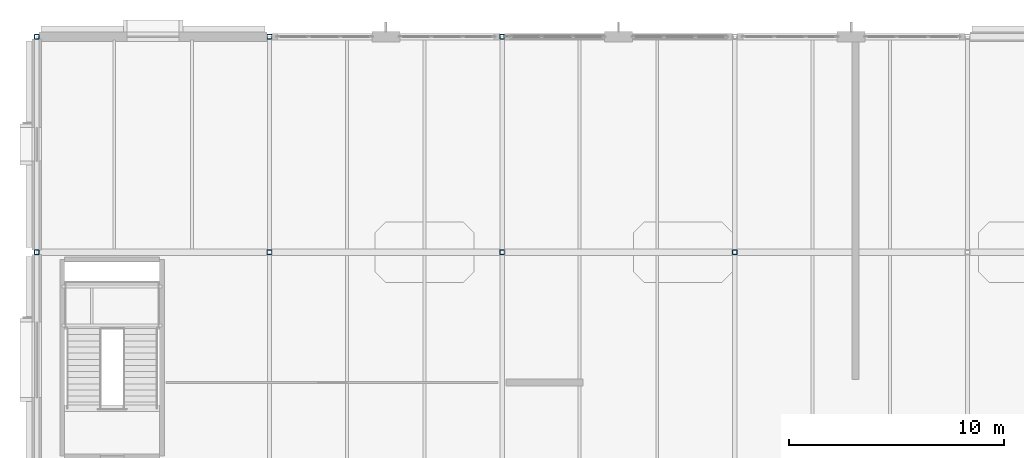
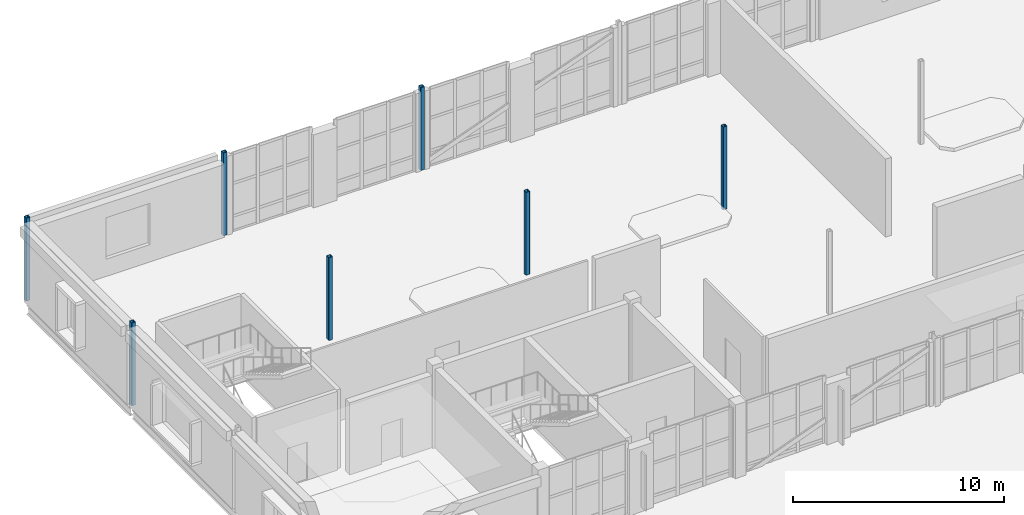
# One storey, part 7 of 86: 7 columns.
"""IFC4 building model written with IfcOpenShell, lengths in metres."""

import ifcopenshell
import ifcopenshell.guid

model = None  # the IFC model being written
_history = None  # IfcOwnerHistory: only IFC2X3 demands one
_inside = {}  # id of a spatial element -> (the spatial element, [elements in it])
_under = {}  # id of a project, library or spatial element -> (it, [spatial elements below it])
_declared = {}  # id of a project -> (the project, [libraries it declares])
_typed = {}  # id of a type object -> (the type object, [elements of that type])
_made_of = {}  # id of a material, layer set ... -> (it, [elements and type objects made of it])


def new_model(schema):
    """Start an empty IFC model of exactly this schema.

    Asked for "IFC4X3", IfcOpenShell would pick the latest addendum, in which some entities
    have other attributes; the version numbers below select the first issue.
    IFC2X3 requires an IfcOwnerHistory on every rooted entity: one is made here for all.
    """
    global model, _history
    if schema == "IFC4X3":
        model = ifcopenshell.file(schema_version=(4, 3, 0, 0))
    else:
        model = ifcopenshell.file(schema=schema)
    _inside.clear()
    _under.clear()
    _declared.clear()
    _typed.clear()
    _made_of.clear()
    _history = None
    if model.schema == "IFC2X3":
        org = make("IfcOrganization", Name="unknown")
        user = make(
            "IfcPersonAndOrganization",
            ThePerson=make("IfcPerson", FamilyName="unknown"),
            TheOrganization=org,
        )
        app = make(
            "IfcApplication",
            ApplicationDeveloper=org,
            Version="unknown",
            ApplicationFullName="unknown",
            ApplicationIdentifier="unknown",
        )
        _history = make(
            "IfcOwnerHistory",
            OwningUser=user,
            OwningApplication=app,
            ChangeAction="ADDED",
            CreationDate=0,
        )
    return model


def make(cls, **values):
    """One entity of the class cls with the attributes given. An attribute that is None is left unset."""
    return model.create_entity(
        cls, **{name: value for name, value in values.items() if value is not None}
    )


def rooted(cls, **values):
    """An entity with a GlobalId (a new one), such as an element, a storey or a relation."""
    return make(cls, GlobalId=ifcopenshell.guid.new(), OwnerHistory=_history, **values)


def si_unit(unit_type, name, prefix=None):
    """IfcSIUnit, for example si_unit("LENGTHUNIT", "METRE", prefix="MILLI")."""
    return make("IfcSIUnit", UnitType=unit_type, Prefix=prefix, Name=name)


def assignment(units):
    """IfcUnitAssignment: the units of a project."""
    return None if units is None else make("IfcUnitAssignment", Units=units)


def point(xyz):
    """IfcCartesianPoint."""
    return None if xyz is None else make("IfcCartesianPoint", Coordinates=xyz)


def direction(xyz):
    """IfcDirection."""
    return None if xyz is None else make("IfcDirection", DirectionRatios=xyz)


def frame(location, z_axis=None, x_axis=None):
    """IfcAxis2Placement3D, a coordinate frame: its origin and axes. An axis left out is left unset."""
    return make(
        "IfcAxis2Placement3D",
        Location=point(location),
        Axis=direction(z_axis),
        RefDirection=direction(x_axis),
    )


def frame_2d(location, x_axis=None):
    """IfcAxis2Placement2D, a coordinate frame in the plane: its origin and x axis."""
    return make(
        "IfcAxis2Placement2D", Location=point(location), RefDirection=direction(x_axis)
    )


def origin():
    """The frame at (0, 0, 0) with its axes left unset."""
    return frame((0.0, 0.0, 0.0))


def origin_2d():
    """The frame at (0, 0) in the plane with its x axis left unset."""
    return frame_2d((0.0, 0.0))


def place(relative_to, where):
    """IfcLocalPlacement: puts the frame where relative to a parent placement (None: the world)."""
    return make(
        "IfcLocalPlacement", PlacementRelTo=relative_to, RelativePlacement=where
    )


def context(
    kind, dimensions, precision=None, world=None, true_north=None, identifier=None
):
    """IfcGeometricRepresentationContext, for example the 3D "Model" context."""
    return make(
        "IfcGeometricRepresentationContext",
        ContextIdentifier=identifier,
        ContextType=kind,
        CoordinateSpaceDimension=dimensions,
        Precision=precision,
        WorldCoordinateSystem=world,
        TrueNorth=true_north,
    )


def subcontext(parent, identifier, kind, view, scale=None):
    """IfcGeometricRepresentationSubContext, for example "Body" below "Model"."""
    return make(
        "IfcGeometricRepresentationSubContext",
        ContextIdentifier=identifier,
        ContextType=kind,
        ParentContext=parent,
        TargetScale=scale,
        TargetView=view,
    )


def project(units=None, contexts=None):
    """IfcProject with its units and contexts."""
    return rooted(
        "IfcProject",
        Name="project",
        RepresentationContexts=contexts,
        UnitsInContext=assignment(units),
    )


def spatial(cls, under=None, at=None, **own):
    """A site, building, storey or space (cls), placed at a placement, below another one or the project."""
    s = rooted(cls, ObjectPlacement=at, **own)
    if under is not None:
        _under.setdefault(under.id(), (under, []))[1].append(s)
    return s


def profile(cls, at=None, kind="AREA", **sizes):
    """A parametric profile (cls). Its sizes go by their IFC names, for example OverallWidth=200.0."""
    return make(cls, ProfileType=kind, Position=at, **sizes)


def hollow_rectangle(**sizes):
    """IfcRectangleHollowProfileDef."""
    return profile("IfcRectangleHollowProfileDef", **sizes)


def extrude(swept, where, along, depth):
    """IfcExtrudedAreaSolid: the profile swept, set in the frame where, extruded along a direction by depth."""
    return make(
        "IfcExtrudedAreaSolid",
        SweptArea=swept,
        Position=where,
        ExtrudedDirection=direction(along),
        Depth=depth,
    )


def shape(context_of_items, identifier, shape_type, items):
    """IfcShapeRepresentation: the items that make up one representation, for example the "Body"."""
    return make(
        "IfcShapeRepresentation",
        ContextOfItems=context_of_items,
        RepresentationIdentifier=identifier,
        RepresentationType=shape_type,
        Items=items,
    )


def material(Name=None, Category=None):
    """IfcMaterial."""
    return make("IfcMaterial", Name=Name, Category=Category)


def material_profile(
    of_material, cross_section, Name=None, Category=None, Priority=None
):
    """IfcMaterialProfile: a cross section and its material."""
    return make(
        "IfcMaterialProfile",
        Name=Name,
        Material=of_material,
        Profile=cross_section,
        Priority=Priority,
        Category=Category,
    )


def profile_set(profiles, Name=None, composite=None):
    """IfcMaterialProfileSet."""
    return make(
        "IfcMaterialProfileSet",
        Name=Name,
        MaterialProfiles=profiles,
        CompositeProfile=composite,
    )


def made_of(thing, what):
    """Note that an element or type object is made of a material, layer set ...; save() writes the relation."""
    if what is not None:
        _made_of.setdefault(what.id(), (what, []))[1].append(thing)
    return thing


def type_object(cls, material=None, **own):
    """A type object (cls), such as IfcWallType, which elements share."""
    return made_of(rooted(cls, **own), material)


def element(
    cls,
    number,
    at=None,
    inside=None,
    cuts=None,
    type_object=None,
    material=None,
    context=None,
    identifier="Body",
    shape_type=None,
    held_by="IfcProductDefinitionShape",
    body=None,
    shapes=None,
    **own,
):
    """One element of the class cls, such as IfcWall. Its Tag is "e" and its number.

    at: its placement. inside: the storey or other place that contains it. cuts: it is an
    opening in that element (IfcRelVoidsElement). A single representation is given by context,
    identifier, shape_type and body (its items); several are given by shapes. held_by: the class
    of the entity that holds the representations. save() writes the other relations.
    """
    e = rooted(cls, Tag="e%d" % number, ObjectPlacement=at, **own)
    if body is not None:
        shapes = [shape(context, identifier, shape_type, body)]
    if shapes is not None:
        e.Representation = make(held_by, Representations=shapes)
    if inside is not None:
        _inside.setdefault(inside.id(), (inside, []))[1].append(e)
    if cuts is not None:
        rooted(
            "IfcRelVoidsElement", RelatingBuildingElement=cuts, RelatedOpeningElement=e
        )
    if type_object is not None:
        _typed.setdefault(type_object.id(), (type_object, []))[1].append(e)
    return made_of(e, material)


def aggregate(whole, parts):
    """IfcRelAggregates: a whole, such as a stair, and the parts it consists of."""
    return rooted("IfcRelAggregates", RelatingObject=whole, RelatedObjects=parts)


def save(model, path):
    """Write the relations noted so far, then the file.

    IfcRelAggregates (storeys below a building ...), IfcRelContainedInSpatialStructure (elements
    in a storey), IfcRelDefinesByType, IfcRelAssociatesMaterial and IfcRelDeclares: one each for
    every whole, place, type object, material and project.
    """
    for whole, parts in _under.values():
        aggregate(whole, parts)
    for where, things in _inside.values():
        rooted(
            "IfcRelContainedInSpatialStructure",
            RelatedElements=things,
            RelatingStructure=where,
        )
    for kind, things in _typed.values():
        rooted("IfcRelDefinesByType", RelatedObjects=things, RelatingType=kind)
    for what, things in _made_of.values():
        rooted("IfcRelAssociatesMaterial", RelatedObjects=things, RelatingMaterial=what)
    for by, libraries in _declared.values():
        rooted("IfcRelDeclares", RelatingContext=by, RelatedDefinitions=libraries)
    model.write(path)


model = new_model("IFC4")

# Units and contexts
model_context = context("Model", 3, precision=1e-05, world=origin(), true_north=direction((0.0, 1.0)))
body_context = subcontext(model_context, "Body", "Model", "MODEL_VIEW")
ifc_project = project(units=[si_unit("LENGTHUNIT", "METRE"), si_unit("AREAUNIT", "SQUARE_METRE"), si_unit("VOLUMEUNIT", "CUBIC_METRE"), si_unit("PLANEANGLEUNIT", "RADIAN"), si_unit("MASSUNIT", "GRAM", prefix="KILO")], contexts=[model_context])

# Site, building, storey
site_placement = place(None, origin())
site = spatial("IfcSite", under=ifc_project, at=site_placement, CompositionType="ELEMENT")
building_placement = place(site_placement, origin())
building = spatial("IfcBuilding", under=site, at=building_placement, Name="Tasgan Crest Museum", CompositionType="ELEMENT")
storey_placement = place(building_placement, frame((0.0, 0.0, 24.0)))
storey = spatial("IfcBuildingStorey", under=building, at=storey_placement, Name="L04", CompositionType="ELEMENT", Elevation=24.0)

# Columns
ifc_material = material(Name="Steel S355J2", Category="steel")
ifc_material_profile = material_profile(ifc_material, hollow_rectangle(XDim=0.219970703125, YDim=0.219970703125, WallThickness=0.012451171875, InnerFilletRadius=0.012451171875, OuterFilletRadius=0.02490234375, at=origin_2d()), Name="SHS 220x220x12.5")
ifc_profile_set = profile_set([ifc_material_profile], Name="Steel S355J2")
column_type = type_object("IfcColumnType", Name="COL-SHS220", PredefinedType="COLUMN", material=ifc_profile_set)
for number, where, z_axis, x_axis, name in (
    (1, (0.0, 102.0, 0.0), (0.0, 0.0, 1.0), (1.0, 0.0, 0.0), "Column 1/L L04"),
    (2, (0.0, 112.0, 0.0), (0.0, 0.0, 1.0), (1.0, 0.0, 0.0), "Column 1/M L04"),
    (3, (10.800048828125, 102.0, 0.0), (0.0, 0.0, 1.0), (1.0, 0.0, 0.0), "Column 2/L L04"),
    (4, (10.800048828125, 112.0, 0.0), (0.0, 0.0, 1.0), (1.0, 0.0, 0.0), "Column 2/M L04"),
    (5, (21.60009765625, 102.0, 0.0), (0.0, 0.0, 1.0), (1.0, 0.0, 0.0), "Column 3/L L04"),
    (6, (21.60009765625, 112.0, 0.0), (0.0, 0.0, 1.0), (1.0, 0.0, 0.0), "Column 3/M L04"),
    (7, (32.39990234375, 102.0, 0.0), (0.0, 0.0, 1.0), (1.0, 0.0, 0.0), "Column 4/L L04"),
):
    element("IfcColumn", number, at=place(storey_placement, frame(where, z_axis=z_axis, x_axis=x_axis)), inside=storey, type_object=column_type, Name=name, PredefinedType="COLUMN", context=body_context, shape_type="SweptSolid", body=[
        extrude(hollow_rectangle(XDim=0.219970703125, YDim=0.219970703125, WallThickness=0.012451171875, InnerFilletRadius=0.012451171875, OuterFilletRadius=0.02490234375, at=origin_2d()), origin(), (0.0, 0.0, 1.0), 4.800048828125),
    ])

save(model, "model.ifc")
